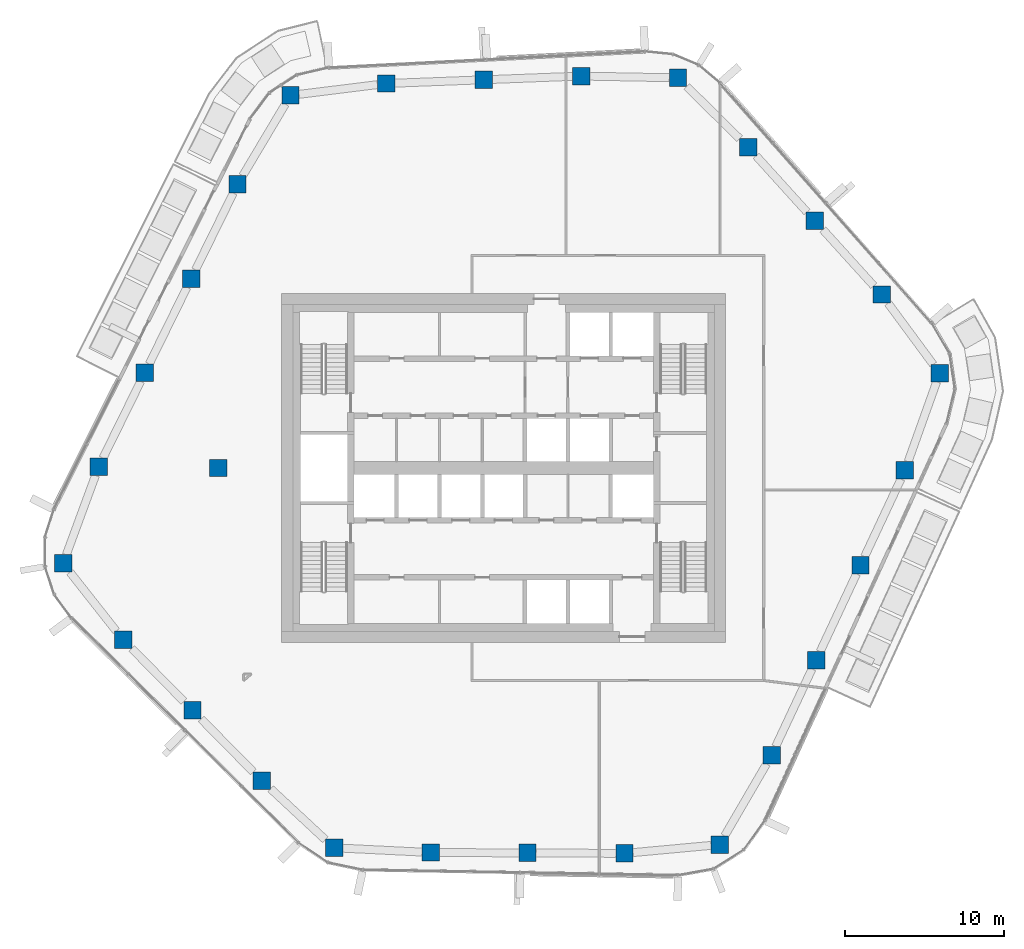
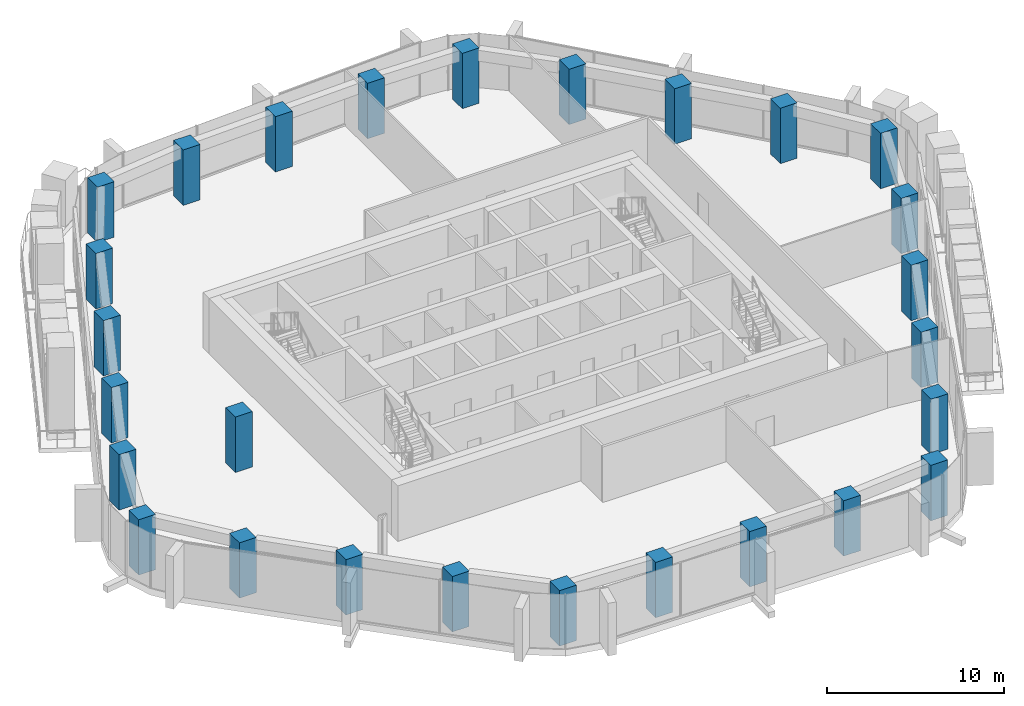
# One storey, part 1 of 22: 27 columns.
"""IFC4 building model written with IfcOpenShell, lengths in metres."""

from ifc_helpers import new_model, si_unit, direction, frame, origin, origin_2d, place, context, subcontext, project, spatial, rectangle, extrude, material, material_profile, profile_set, type_object, element, save


model = new_model("IFC4")

# Units and contexts
model_context = context("Model", 3, precision=1e-05, world=origin(), true_north=direction((0.0, 1.0)))
body_context = subcontext(model_context, "Body", "Model", "MODEL_VIEW")
ifc_project = project(units=[si_unit("LENGTHUNIT", "METRE"), si_unit("AREAUNIT", "SQUARE_METRE"), si_unit("VOLUMEUNIT", "CUBIC_METRE"), si_unit("PLANEANGLEUNIT", "RADIAN"), si_unit("MASSUNIT", "GRAM", prefix="KILO")], contexts=[model_context])

# Site, building, storey
site_placement = place(None, origin())
site = spatial("IfcSite", under=ifc_project, at=site_placement, CompositionType="ELEMENT")
building_placement = place(site_placement, origin())
building = spatial("IfcBuilding", under=site, at=building_placement, Name="Dongbaek Canopy Tower", CompositionType="ELEMENT")
storey_placement = place(building_placement, frame((0.0, 0.0, 237.0)))
storey = spatial("IfcBuildingStorey", under=building, at=storey_placement, Name="L49", CompositionType="ELEMENT", Elevation=237.0)

# Columns
ifc_material = material(Name="Concrete C70", Category="concrete")
ifc_material_profile = material_profile(ifc_material, rectangle(XDim=1.10009765625, YDim=1.10009765625, at=origin_2d()), Name="RC COLUMN 1100x1100 C70")
ifc_profile_set = profile_set([ifc_material_profile], Name="Concrete C70")
column_type = type_object("IfcColumnType", Name="RC COLUMN 1100x1100 C70", PredefinedType="COLUMN", material=ifc_profile_set)
for number, where, z_axis, x_axis, name in (
    (1, (13.612060546875, -23.74609375, 0.0), (0.0, 0.0, 1.0), (1.0, 0.0, 0.0), "COL:CZ4-01:L49"),
    (2, (7.615966796875, -24.300048828125, 0.0), (0.0, 0.0, 1.0), (1.0, 0.0, 0.0), "COL:CZ4-02:L49"),
    (3, (1.501953125, -24.27197265625, 0.0), (0.0, 0.0, 1.0), (1.0, 0.0, 0.0), "COL:CZ4-03:L49"),
    (4, (-4.611083984375, -24.24609375, 0.0), (0.0, 0.0, 1.0), (1.0, 0.0, 0.0), "COL:CZ4-04:L49"),
    (5, (-10.697021484375, -23.946044921875, 0.0), (0.0, 0.0, 1.0), (1.0, 0.0, 0.0), "COL:CZ4-05:L49"),
    (6, (-15.2470703125, -19.714111328125, 0.0), (0.0, 0.0, 1.0), (1.0, 0.0, 0.0), "COL:CZ4-06:L49"),
    (7, (-19.6220703125, -15.27197265625, 0.0), (0.0, 0.0, 1.0), (1.0, 0.0, 0.0), "COL:CZ4-07:L49"),
    (8, (-23.9970703125, -10.8291015625, 0.0), (0.0, 0.0, 1.0), (1.0, 0.0, 0.0), "COL:CZ4-08:L49"),
    (9, (-27.781982421875, -6.02001953125, 0.0), (0.0, 0.0, 1.0), (1.0, 0.0, 0.0), "COL:CZ4-09:L49"),
    (10, (-25.5400390625, 0.075927734375, 0.0), (0.0, 0.0, 1.0), (1.0, 0.0, 0.0), "COL:CZ4-10:L49"),
    (11, (-22.62109375, 6.010986328125, 0.0), (0.0, 0.0, 1.0), (1.0, 0.0, 0.0), "COL:CZ4-11:L49"),
    (12, (-19.701904296875, 11.945068359375, 0.0), (0.0, 0.0, 1.0), (1.0, 0.0, 0.0), "COL:CZ4-12:L49"),
    (13, (-16.783935546875, 17.8779296875, 0.0), (0.0, 0.0, 1.0), (1.0, 0.0, 0.0), "COL:CZ4-13:L49"),
    (14, (-13.44189453125, 23.490966796875, 0.0), (0.0, 0.0, 1.0), (1.0, 0.0, 0.0), "COL:CZ4-14:L49"),
    (15, (-7.4150390625, 24.242919921875, 0.0), (0.0, 0.0, 1.0), (1.0, 0.0, 0.0), "COL:CZ4-15:L49"),
    (16, (-1.26611328125, 24.47900390625, 0.0), (0.0, 0.0, 1.0), (1.0, 0.0, 0.0), "COL:CZ4-16:L49"),
    (17, (4.883056640625, 24.714111328125, 0.0), (0.0, 0.0, 1.0), (1.0, 0.0, 0.0), "COL:CZ4-17:L49"),
    (18, (10.989990234375, 24.59912109375, 0.0), (0.0, 0.0, 1.0), (1.0, 0.0, 0.0), "COL:CZ4-18:L49"),
    (19, (15.41796875, 20.22900390625, 0.0), (0.0, 0.0, 1.0), (1.0, 0.0, 0.0), "COL:CZ4-19:L49"),
    (20, (19.625, 15.583984375, 0.0), (0.0, 0.0, 1.0), (1.0, 0.0, 0.0), "COL:CZ4-20:L49"),
    (21, (23.8310546875, 10.93896484375, 0.0), (0.0, 0.0, 1.0), (1.0, 0.0, 0.0), "COL:CZ4-21:L49"),
    (22, (27.491943359375, 5.97705078125, 0.0), (0.0, 0.0, 1.0), (1.0, 0.0, 0.0), "COL:CZ4-22:L49"),
    (23, (25.302001953125, -0.152099609375, 0.0), (0.0, 0.0, 1.0), (1.0, 0.0, 0.0), "COL:CZ4-23:L49"),
    (24, (22.4990234375, -6.138916015625, 0.0), (0.0, 0.0, 1.0), (1.0, 0.0, 0.0), "COL:CZ4-24:L49"),
    (25, (19.695068359375, -12.126953125, 0.0), (0.0, 0.0, 1.0), (1.0, 0.0, 0.0), "COL:CZ4-25:L49"),
    (26, (16.889892578125, -18.114013671875, 0.0), (0.0, 0.0, 1.0), (1.0, 0.0, 0.0), "COL:CZ4-26:L49"),
    (27, (-18.0, 0.0, 0.0), (0.0, 0.0, 1.0), (1.0, 0.0, 0.0), "COL:CIZ4-01:L49"),
):
    element("IfcColumn", number, at=place(storey_placement, frame(where, z_axis=z_axis, x_axis=x_axis)), inside=storey, type_object=column_type, Name=name, PredefinedType="COLUMN", context=body_context, shape_type="SweptSolid", body=[
        extrude(rectangle(XDim=1.10009765625, YDim=1.10009765625, at=origin_2d()), origin(), (0.0, 0.0, 1.0), 3.820068359375),
    ])

save(model, "model.ifc")
